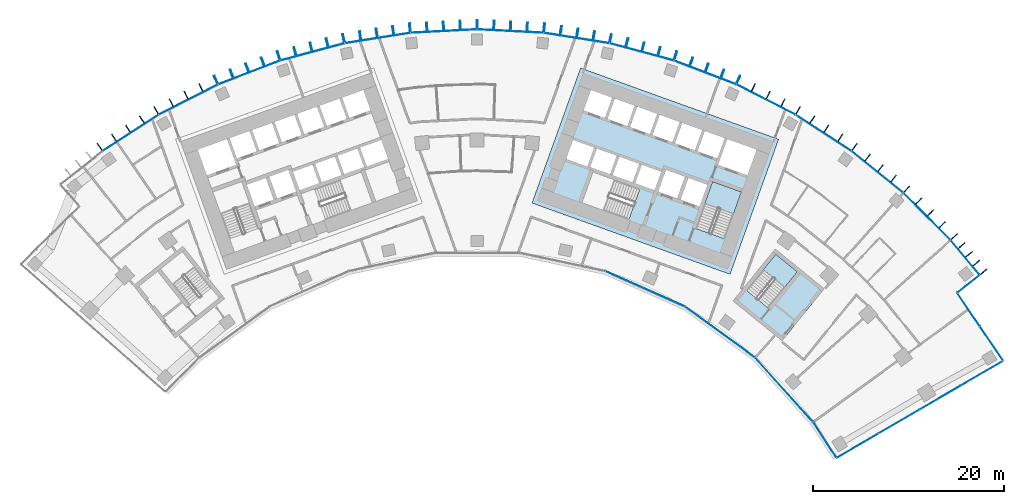
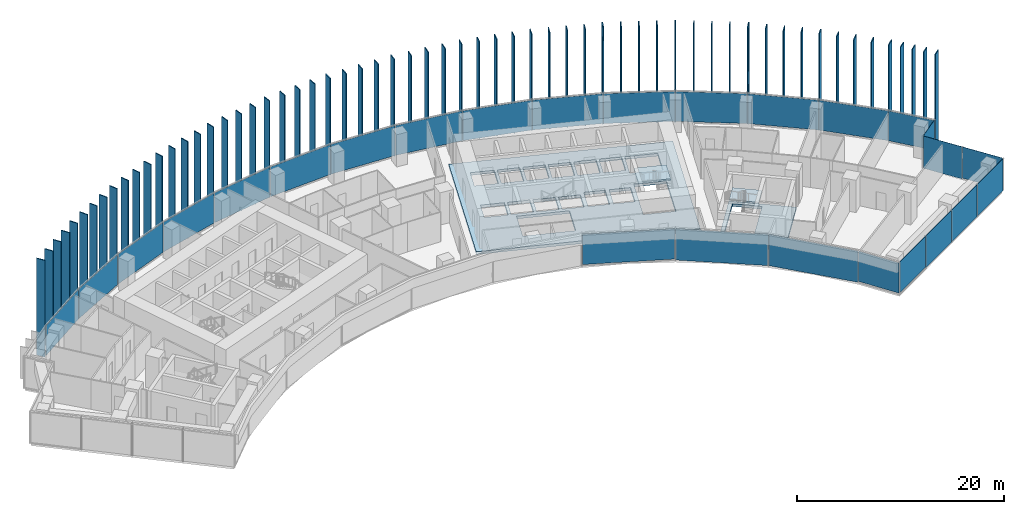
# One storey, part 14 of 22: 87 plates, 4 slabs, 7 elements without a shape of their own.
"""IFC4 building model written with IfcOpenShell, lengths in metres."""

from ifc_helpers import new_model, si_unit, direction, frame, origin, origin_2d, place, context, subcontext, project, spatial, polyline, rectangle, outline, extrude, material, layer, layer_set, type_object, element, aggregate, save


model = new_model("IFC4")

# Units and contexts
model_context = context("Model", 3, precision=1e-05, world=origin(), true_north=direction((0.0, 1.0)))
body_context = subcontext(model_context, "Body", "Model", "MODEL_VIEW")
ifc_project = project(units=[si_unit("LENGTHUNIT", "METRE"), si_unit("AREAUNIT", "SQUARE_METRE"), si_unit("VOLUMEUNIT", "CUBIC_METRE"), si_unit("PLANEANGLEUNIT", "RADIAN"), si_unit("MASSUNIT", "GRAM", prefix="KILO")], contexts=[model_context])

# Site, building, storey
site_placement = place(None, origin())
site = spatial("IfcSite", under=ifc_project, at=site_placement, CompositionType="ELEMENT")
building_placement = place(site_placement, origin())
building = spatial("IfcBuilding", under=site, at=building_placement, Name="Stone Belt Terrace Tower", CompositionType="ELEMENT")
storey_placement = place(building_placement, frame((0.0, 0.0, 121.199951171875)))
storey = spatial("IfcBuildingStorey", under=building, at=storey_placement, Name="L29", CompositionType="ELEMENT", Elevation=121.199951171875)

# Curtain wall, plates
ifc_material_1 = material(Name="Aluminium 6063-T6 anodised frame", Category="aluminium")
ifc_layer_1 = layer(ifc_material_1, 0.14990234375)
ifc_layer_set_1 = layer_set([ifc_layer_1], Name="CW-A unitised convex-face curtain wall")
curtain_wall_type_1 = type_object("IfcCurtainWallType", Name="CW-A unitised convex-face curtain wall", PredefinedType="NOTDEFINED", material=ifc_layer_set_1)
curtain_wall_1_placement = place(storey_placement, origin())
curtain_wall_1 = element("IfcCurtainWall", 1, at=curtain_wall_1_placement, inside=storey, type_object=curtain_wall_type_1, Name="CW-A convex face L29", PredefinedType="NOTDEFINED")
ifc_material_2 = material(Name="Clear double glazed unit")
ifc_layer_2 = layer(ifc_material_2, 0.031982421875)
ifc_layer_set_2 = layer_set([ifc_layer_2], Name="CW-A glass panel 32")
plate_type_1 = type_object("IfcPlateType", Name="CW-A glass panel 32", PredefinedType="CURTAIN_PANEL", material=ifc_layer_set_2)
plate_1_placement = place(storey_placement, frame((50.993896484375, 42.73583984375, 0.14013671875), z_axis=(0.0, 0.0, 1.0), x_axis=(-0.642509184121, 0.766277983711, 0.0)))
plate_1 = element("IfcPlate", 2, at=plate_1_placement, type_object=plate_type_1, Name="CW-A panel 1.1", PredefinedType="CURTAIN_PANEL", context=body_context, shape_type="SweptSolid", body=[
    extrude(rectangle(XDim=4.662841796875, YDim=0.031982421875, at=origin_2d()), origin(), (0.0, 0.0, 1.0), 3.52001953125),
])
plate_2_placement = place(storey_placement, frame((47.01123046875, 47.01123046875, 0.14013671875), z_axis=(0.0, 0.0, 1.0), x_axis=(-0.707106781187, 0.707106781187, 0.0)))
plate_2 = element("IfcPlate", 3, at=plate_2_placement, type_object=plate_type_1, Name="CW-A panel 2.1", PredefinedType="CURTAIN_PANEL", context=body_context, shape_type="SweptSolid", body=[
    extrude(rectangle(XDim=6.90087890625, YDim=0.031982421875, at=origin_2d()), origin(), (0.0, 0.0, 1.0), 3.52001953125),
])
plate_3_placement = place(storey_placement, frame((41.839599609375, 51.667724609375, 0.14013671875), z_axis=(0.0, 0.0, 1.0), x_axis=(-0.777145961457, 0.62932039105, 0.0)))
plate_3 = element("IfcPlate", 4, at=plate_3_placement, type_object=plate_type_1, Name="CW-A panel 3.1", PredefinedType="CURTAIN_PANEL", context=body_context, shape_type="SweptSolid", body=[
    extrude(rectangle(XDim=6.90087890625, YDim=0.031982421875, at=origin_2d()), origin(), (0.0, 0.0, 1.0), 3.52001953125),
])
plate_4_placement = place(storey_placement, frame((36.209716796875, 55.758056640625, 0.14013671875), z_axis=(0.0, 0.0, 1.0), x_axis=(-0.838670567945, 0.544639035015, 0.0)))
plate_4 = element("IfcPlate", 5, at=plate_4_placement, type_object=plate_type_1, Name="CW-A panel 4.1", PredefinedType="CURTAIN_PANEL", context=body_context, shape_type="SweptSolid", body=[
    extrude(rectangle(XDim=6.90087890625, YDim=0.031982421875, at=origin_2d()), origin(), (0.0, 0.0, 1.0), 3.52001953125),
])
plate_5_placement = place(storey_placement, frame((30.18310546875, 59.237548828125, 0.14013671875), z_axis=(0.0, 0.0, 1.0), x_axis=(-0.891006524188, 0.45399049974, 0.0)))
plate_5 = element("IfcPlate", 6, at=plate_5_placement, type_object=plate_type_1, Name="CW-A panel 5.1", PredefinedType="CURTAIN_PANEL", context=body_context, shape_type="SweptSolid", body=[
    extrude(rectangle(XDim=6.90087890625, YDim=0.031982421875, at=origin_2d()), origin(), (0.0, 0.0, 1.0), 3.52001953125),
])
plate_6_placement = place(storey_placement, frame((23.82568359375, 62.068115234375, 0.14013671875), z_axis=(0.0, 0.0, 1.0), x_axis=(-0.933580426497, 0.358367949545, 0.0)))
plate_6 = element("IfcPlate", 7, at=plate_6_placement, type_object=plate_type_1, Name="CW-A panel 6.1", PredefinedType="CURTAIN_PANEL", context=body_context, shape_type="SweptSolid", body=[
    extrude(rectangle(XDim=6.90087890625, YDim=0.031982421875, at=origin_2d()), origin(), (0.0, 0.0, 1.0), 3.52001953125),
])
plate_7_placement = place(storey_placement, frame((17.207275390625, 64.218505859375, 0.14013671875), z_axis=(0.0, 0.0, 1.0), x_axis=(-0.965925826289, 0.258819045103, 0.0)))
plate_7 = element("IfcPlate", 8, at=plate_7_placement, type_object=plate_type_1, Name="CW-A panel 7.1", PredefinedType="CURTAIN_PANEL", context=body_context, shape_type="SweptSolid", body=[
    extrude(rectangle(XDim=6.90087890625, YDim=0.031982421875, at=origin_2d()), origin(), (0.0, 0.0, 1.0), 3.52001953125),
])
plate_8_placement = place(storey_placement, frame((10.400390625, 65.665283203125, 0.14013671875), z_axis=(0.0, 0.0, 1.0), x_axis=(-0.987688340595, 0.15643446504, 0.0)))
plate_8 = element("IfcPlate", 9, at=plate_8_placement, type_object=plate_type_1, Name="CW-A panel 8.1", PredefinedType="CURTAIN_PANEL", context=body_context, shape_type="SweptSolid", body=[
    extrude(rectangle(XDim=6.90087890625, YDim=0.031982421875, at=origin_2d()), origin(), (0.0, 0.0, 1.0), 3.52001953125),
])
plate_9_placement = place(storey_placement, frame((3.4794921875, 66.392822265625, 0.14013671875), z_axis=(0.0, 0.0, 1.0), x_axis=(-0.998629534755, 0.052335956243, 0.0)))
plate_9 = element("IfcPlate", 10, at=plate_9_placement, type_object=plate_type_1, Name="CW-A panel 9.1", PredefinedType="CURTAIN_PANEL", context=body_context, shape_type="SweptSolid", body=[
    extrude(rectangle(XDim=6.90087890625, YDim=0.031982421875, at=origin_2d()), origin(), (0.0, 0.0, 1.0), 3.52001953125),
])
plate_10_placement = place(storey_placement, frame((-3.4794921875, 66.392822265625, 0.14013671875), z_axis=(0.0, 0.0, 1.0), x_axis=(-0.998629534755, -0.052335956243, 0.0)))
plate_10 = element("IfcPlate", 11, at=plate_10_placement, type_object=plate_type_1, Name="CW-A panel 10.1", PredefinedType="CURTAIN_PANEL", context=body_context, shape_type="SweptSolid", body=[
    extrude(rectangle(XDim=6.90087890625, YDim=0.031982421875, at=origin_2d()), origin(), (0.0, 0.0, 1.0), 3.52001953125),
])
plate_11_placement = place(storey_placement, frame((-10.400390625, 65.665283203125, 0.14013671875), z_axis=(0.0, 0.0, 1.0), x_axis=(-0.987688340595, -0.15643446504, 0.0)))
plate_11 = element("IfcPlate", 12, at=plate_11_placement, type_object=plate_type_1, Name="CW-A panel 11.1", PredefinedType="CURTAIN_PANEL", context=body_context, shape_type="SweptSolid", body=[
    extrude(rectangle(XDim=6.90087890625, YDim=0.031982421875, at=origin_2d()), origin(), (0.0, 0.0, 1.0), 3.52001953125),
])
plate_12_placement = place(storey_placement, frame((-17.207275390625, 64.218505859375, 0.14013671875), z_axis=(0.0, 0.0, 1.0), x_axis=(-0.965925826289, -0.258819045103, 0.0)))
plate_12 = element("IfcPlate", 13, at=plate_12_placement, type_object=plate_type_1, Name="CW-A panel 12.1", PredefinedType="CURTAIN_PANEL", context=body_context, shape_type="SweptSolid", body=[
    extrude(rectangle(XDim=6.90087890625, YDim=0.031982421875, at=origin_2d()), origin(), (0.0, 0.0, 1.0), 3.52001953125),
])
plate_13_placement = place(storey_placement, frame((-23.82568359375, 62.068115234375, 0.14013671875), z_axis=(0.0, 0.0, 1.0), x_axis=(-0.933580426497, -0.358367949545, 0.0)))
plate_13 = element("IfcPlate", 14, at=plate_13_placement, type_object=plate_type_1, Name="CW-A panel 13.1", PredefinedType="CURTAIN_PANEL", context=body_context, shape_type="SweptSolid", body=[
    extrude(rectangle(XDim=6.90087890625, YDim=0.031982421875, at=origin_2d()), origin(), (0.0, 0.0, 1.0), 3.52001953125),
])
plate_14_placement = place(storey_placement, frame((-30.18310546875, 59.237548828125, 0.14013671875), z_axis=(0.0, 0.0, 1.0), x_axis=(-0.891006524188, -0.45399049974, 0.0)))
plate_14 = element("IfcPlate", 15, at=plate_14_placement, type_object=plate_type_1, Name="CW-A panel 14.1", PredefinedType="CURTAIN_PANEL", context=body_context, shape_type="SweptSolid", body=[
    extrude(rectangle(XDim=6.90087890625, YDim=0.031982421875, at=origin_2d()), origin(), (0.0, 0.0, 1.0), 3.52001953125),
])
plate_15_placement = place(storey_placement, frame((-36.209716796875, 55.758056640625, 0.14013671875), z_axis=(0.0, 0.0, 1.0), x_axis=(-0.838670567945, -0.544639035015, 0.0)))
plate_15 = element("IfcPlate", 16, at=plate_15_placement, type_object=plate_type_1, Name="CW-A panel 15.1", PredefinedType="CURTAIN_PANEL", context=body_context, shape_type="SweptSolid", body=[
    extrude(rectangle(XDim=6.90087890625, YDim=0.031982421875, at=origin_2d()), origin(), (0.0, 0.0, 1.0), 3.52001953125),
])
aggregate(curtain_wall_1, [plate_1, plate_2, plate_3, plate_4, plate_5, plate_6, plate_7, plate_8, plate_9, plate_10, plate_11, plate_12, plate_13, plate_14, plate_15])

ifc_layer_3 = layer(ifc_material_1, 0.14990234375)
ifc_layer_set_3 = layer_set([ifc_layer_3], Name="CW-B unitised concave-face curtain wall")
curtain_wall_type_2 = type_object("IfcCurtainWallType", Name="CW-B unitised concave-face curtain wall", PredefinedType="NOTDEFINED", material=ifc_layer_set_3)
curtain_wall_2_placement = place(storey_placement, origin())
curtain_wall_2 = element("IfcCurtainWall", 17, at=curtain_wall_2_placement, inside=storey, type_object=curtain_wall_type_2, Name="CW-B concave face L29", PredefinedType="NOTDEFINED")
ifc_layer_4 = layer(ifc_material_2, 0.030029296875)
ifc_layer_set_4 = layer_set([ifc_layer_4], Name="CW-B glass panel 30")
plate_type_2 = type_object("IfcPlateType", Name="CW-B glass panel 30", PredefinedType="CURTAIN_PANEL", material=ifc_layer_set_4)
plate_16_placement = place(storey_placement, frame((17.565673828125, 39.453125, 0.1201171875), z_axis=(0.0, 0.0, 1.0), x_axis=(0.913545457643, -0.406736643076, 0.0)))
plate_16 = element("IfcPlate", 18, at=plate_16_placement, type_object=plate_type_2, Name="CW-B panel 7.1", PredefinedType="CURTAIN_PANEL", context=body_context, shape_type="SweptSolid", body=[
    extrude(rectangle(XDim=9.0126953125, YDim=0.030029296875, at=origin_2d()), origin(), (0.0, 0.0, 1.0), 3.56005859375),
])
plate_17_placement = place(storey_placement, frame((25.384521484375, 34.938720703125, 0.0), z_axis=(0.0, 0.0, 1.0), x_axis=(0.809016994375, -0.587785252292, 0.0)))
plate_17 = element("IfcPlate", 19, at=plate_17_placement, type_object=plate_type_2, Name="CW-B panel 8.1", PredefinedType="CURTAIN_PANEL", context=body_context, shape_type="SweptSolid", body=[
    extrude(rectangle(XDim=9.0126953125, YDim=0.030029296875, at=origin_2d()), origin(), (0.0, 0.0, 1.0), 3.679931640625),
])
plate_18_placement = place(storey_placement, frame((32.09521484375, 28.89599609375, 0.0), z_axis=(0.0, 0.0, 1.0), x_axis=(0.669130606359, -0.743144825477, 0.0)))
plate_18 = element("IfcPlate", 20, at=plate_18_placement, type_object=plate_type_2, Name="CW-B panel 9.1", PredefinedType="CURTAIN_PANEL", context=body_context, shape_type="SweptSolid", body=[
    extrude(rectangle(XDim=9.016845703125, YDim=0.030029296875, at=origin_2d()), origin(), (0.0, 0.0, 1.0), 3.679931640625),
])
plate_19_placement = place(storey_placement, frame((36.3408203125, 23.66943359375, 0.1201171875), z_axis=(0.0, 0.0, 1.0), x_axis=(0.546131502436, -0.837699458068, 0.0)))
plate_19 = element("IfcPlate", 21, at=plate_19_placement, type_object=plate_type_2, Name="CW-B panel 10.1", PredefinedType="CURTAIN_PANEL", context=body_context, shape_type="SweptSolid", body=[
    extrude(rectangle(XDim=4.363525390625, YDim=0.030029296875, at=origin_2d()), origin(), (0.0, 0.0, 1.0), 3.56005859375),
])
aggregate(curtain_wall_2, [plate_16, plate_17, plate_18, plate_19])

ifc_layer_5 = layer(ifc_material_1, 0.14990234375)
ifc_layer_set_5 = layer_set([ifc_layer_5], Name="CW-C stick curtain wall, horn ends and notches")
curtain_wall_type_3 = type_object("IfcCurtainWallType", Name="CW-C stick curtain wall, horn ends and notches", PredefinedType="NOTDEFINED", material=ifc_layer_set_5)
curtain_wall_3_placement = place(storey_placement, origin())
curtain_wall_3 = element("IfcCurtainWall", 22, at=curtain_wall_3_placement, inside=storey, type_object=curtain_wall_type_3, Name="CW-C end face L29", PredefinedType="NOTDEFINED")
ifc_layer_6 = layer(ifc_material_2, 0.028076171875)
ifc_layer_set_6 = layer_set([ifc_layer_6], Name="CW-C glass panel 28")
plate_type_3 = type_object("IfcPlateType", Name="CW-C glass panel 28", PredefinedType="CURTAIN_PANEL", material=ifc_layer_set_6)
plate_20_placement = place(storey_placement, frame((39.78076171875, 23.06982421875, 0.1201171875), z_axis=(0.0, 0.0, 1.0), x_axis=(0.864239322284, 0.503080901861, 0.0)))
plate_20 = element("IfcPlate", 23, at=plate_20_placement, type_object=plate_type_3, Name="CW-C panel 1.1", PredefinedType="CURTAIN_PANEL", context=body_context, shape_type="SweptSolid", body=[
    extrude(rectangle(XDim=4.9677734375, YDim=0.028076171875, at=origin_2d()), origin(), (0.0, 0.0, 1.0), 3.679931640625),
])
plate_21_placement = place(storey_placement, frame((44.114013671875, 25.59228515625, 0.0), z_axis=(0.0, 0.0, 1.0), x_axis=(0.864239322284, 0.503080901861, 0.0)))
plate_21 = element("IfcPlate", 24, at=plate_21_placement, type_object=plate_type_3, Name="CW-C panel 2.1", PredefinedType="CURTAIN_PANEL", context=body_context, shape_type="SweptSolid", body=[
    extrude(rectangle(XDim=4.93994140625, YDim=0.028076171875, at=origin_2d()), origin(), (0.0, 0.0, 1.0), 3.800048828125),
])
plate_22_placement = place(storey_placement, frame((48.43505859375, 28.107666015625, 0.0), z_axis=(0.0, 0.0, 1.0), x_axis=(0.864239322284, 0.503080901861, 0.0)))
plate_22 = element("IfcPlate", 25, at=plate_22_placement, type_object=plate_type_3, Name="CW-C panel 3.1", PredefinedType="CURTAIN_PANEL", context=body_context, shape_type="SweptSolid", body=[
    extrude(rectangle(XDim=4.93994140625, YDim=0.028076171875, at=origin_2d()), origin(), (0.0, 0.0, 1.0), 3.800048828125),
])
plate_23_placement = place(storey_placement, frame((52.771484375, 30.6318359375, 0.0), z_axis=(0.0, 0.0, 1.0), x_axis=(0.864239322284, 0.503080901861, 0.0)))
plate_23 = element("IfcPlate", 26, at=plate_23_placement, type_object=plate_type_3, Name="CW-C panel 4.1", PredefinedType="CURTAIN_PANEL", context=body_context, shape_type="SweptSolid", body=[
    extrude(rectangle(XDim=4.974853515625, YDim=0.028076171875, at=origin_2d()), origin(), (0.0, 0.0, 1.0), 3.800048828125),
])
aggregate(curtain_wall_3, [plate_20, plate_21, plate_22, plate_23])

curtain_wall_4_placement = place(storey_placement, origin())
curtain_wall_4 = element("IfcCurtainWall", 27, at=curtain_wall_4_placement, inside=storey, type_object=curtain_wall_type_3, Name="CW-C notch face L29", PredefinedType="NOTDEFINED")
plate_24_placement = place(storey_placement, frame((53.748046875, 33.751220703125, 0.1201171875), z_axis=(0.0, 0.0, 1.0), x_axis=(-0.560367245622, 0.828244257471, 0.0)))
plate_24 = element("IfcPlate", 28, at=plate_24_placement, type_object=plate_type_3, Name="CW-C panel 1.1", PredefinedType="CURTAIN_PANEL", context=body_context, shape_type="SweptSolid", body=[
    extrude(rectangle(XDim=4.268798828125, YDim=0.028076171875, at=origin_2d()), origin(), (0.0, 0.0, 1.0), 3.679931640625),
])
plate_25_placement = place(storey_placement, frame((51.364013671875, 37.275146484375, 0.0), z_axis=(0.0, 0.0, 1.0), x_axis=(-0.560367245622, 0.828244257471, 0.0)))
plate_25 = element("IfcPlate", 29, at=plate_25_placement, type_object=plate_type_3, Name="CW-C panel 2.1", PredefinedType="CURTAIN_PANEL", context=body_context, shape_type="SweptSolid", body=[
    extrude(rectangle(XDim=4.12060546875, YDim=0.028076171875, at=origin_2d()), origin(), (0.0, 0.0, 1.0), 3.800048828125),
])
aggregate(curtain_wall_4, [plate_24, plate_25])

# Curtain wall, plate
curtain_wall_5_placement = place(storey_placement, origin())
curtain_wall_5 = element("IfcCurtainWall", 30, at=curtain_wall_5_placement, inside=storey, type_object=curtain_wall_type_3, Name="CW-C notch face L29", PredefinedType="NOTDEFINED")
plate_26_placement = place(storey_placement, frame((51.353515625, 39.966552734375, 0.1201171875), z_axis=(0.0, 0.0, 1.0), x_axis=(0.788458012337, 0.615088581248, 0.0)))
plate_26 = element("IfcPlate", 31, at=plate_26_placement, type_object=plate_type_3, Name="CW-C panel 1.1", PredefinedType="CURTAIN_PANEL", context=body_context, shape_type="SweptSolid", body=[
    extrude(rectangle(XDim=2.859619140625, YDim=0.028076171875, at=origin_2d()), origin(), (0.0, 0.0, 1.0), 3.679931640625),
])
aggregate(curtain_wall_5, [plate_26])

# Slabs
ifc_material_3 = material(Name="Concrete B40", Category="concrete")
ifc_layer_7 = layer(ifc_material_3, 0.320068359375)
ifc_layer_set_7 = layer_set([ifc_layer_7], Name="Core floor slab 320")
slab_type_1 = type_object("IfcSlabType", Name="Core floor slab 320", PredefinedType="FLOOR", material=ifc_layer_set_7)
slab_1_placement = place(storey_placement, frame((0.0, 0.0, -0.320068359375)))
element("IfcSlab", 32, at=slab_1_placement, inside=storey, type_object=slab_type_1, Name="Core B floor L29", PredefinedType="FLOOR", context=body_context, shape_type="SweptSolid", body=[
    extrude(outline(polyline([(26.43505859375, 40.968994140625), (31.513916015625, 55.0830078125), (10.81396484375, 62.531982421875), (5.735107421875, 48.4189453125), (26.43505859375, 40.968994140625)]), holes=[polyline([(12.10595703125, 51.652099609375), (16.998046875, 49.89208984375), (15.846923828125, 46.69189453125), (10.955078125, 48.452880859375), (12.10595703125, 51.652099609375)]), polyline([(19.239990234375, 51.68896484375), (18.5458984375, 49.760009765625), (16.52294921875, 50.488037109375), (17.217041015625, 52.4169921875), (19.239990234375, 51.68896484375)]), polyline([(16.239990234375, 50.589111328125), (14.169921875, 51.333984375), (14.864013671875, 53.262939453125), (16.93408203125, 52.51806640625), (16.239990234375, 50.589111328125)]), polyline([(14.58203125, 53.364990234375), (13.887939453125, 51.43603515625), (11.864990234375, 52.1640625), (11.847900390625, 52.116943359375), (11.801025390625, 52.134033203125), (12.511962890625, 54.110107421875), (14.58203125, 53.364990234375)]), polyline([(9.30810546875, 53.031005859375), (10.01904296875, 55.007080078125), (12.22998046875, 54.2109375), (11.51904296875, 52.235107421875), (9.30810546875, 53.031005859375)]), polyline([(16.743896484375, 58.485107421875), (18.81396484375, 57.739990234375), (18.052001953125, 55.623046875), (15.98193359375, 56.367919921875), (16.743896484375, 58.485107421875)]), polyline([(14.39111328125, 59.33203125), (16.4609375, 58.5869140625), (15.699951171875, 56.469970703125), (13.6298828125, 57.215087890625), (14.39111328125, 59.33203125)]), polyline([(11.89794921875, 60.22900390625), (14.10888671875, 59.43408203125), (13.346923828125, 57.31591796875), (11.135986328125, 58.112060546875), (11.89794921875, 60.22900390625)]), polyline([(25.85888671875, 44.68408203125), (22.847900390625, 45.76806640625), (24.60791015625, 50.659912109375), (27.618896484375, 49.575927734375), (25.85888671875, 44.68408203125)]), polyline([(21.27392578125, 48.778076171875), (22.0869140625, 51.035888671875), (24.06298828125, 50.324951171875), (23.25, 48.06689453125), (21.27392578125, 48.778076171875)]), polyline([(18.922119140625, 49.6240234375), (19.735107421875, 51.883056640625), (21.7109375, 51.1708984375), (20.89794921875, 48.9130859375), (18.922119140625, 49.6240234375)]), polyline([(29.2109375, 53.9990234375), (28.24609375, 51.31689453125), (25.18798828125, 52.41796875), (26.153076171875, 55.09912109375), (29.2109375, 53.9990234375)]), polyline([(23.801025390625, 55.946044921875), (25.87109375, 55.200927734375), (25.10888671875, 53.083984375), (23.0390625, 53.8291015625), (23.801025390625, 55.946044921875)]), polyline([(21.447998046875, 56.7919921875), (23.51806640625, 56.047119140625), (22.756103515625, 53.929931640625), (20.68603515625, 54.675048828125), (21.447998046875, 56.7919921875)]), polyline([(19.095947265625, 57.638916015625), (21.166015625, 56.89404296875), (20.404052734375, 54.777099609375), (18.333984375, 55.52197265625), (19.095947265625, 57.638916015625)])]), origin(), (0.0, 0.0, 1.0), 0.320068359375),
])
slab_2_placement = place(storey_placement, frame((0.0, 0.0, -0.320068359375)))
element("IfcSlab", 33, at=slab_2_placement, inside=storey, type_object=slab_type_1, Name="Exit stair ST3B floor L29", PredefinedType="FLOOR", context=body_context, shape_type="SweptSolid", body=[
    extrude(outline(polyline([(26.741943359375, 38.18408203125), (31.866943359375, 34.02392578125), (36.278076171875, 39.458984375), (31.154052734375, 43.618896484375), (26.741943359375, 38.18408203125)]), holes=[polyline([(30.407958984375, 37.462890625), (28.156005859375, 39.291015625), (31.2119140625, 43.055908203125), (33.464111328125, 41.22802734375), (30.407958984375, 37.462890625)])]), origin(), (0.0, 0.0, 1.0), 0.320068359375),
])

# Stair, slab
stair_type = type_object("IfcStairType", Name="Exit stair 1500", PredefinedType="HALF_TURN_STAIR", material=ifc_material_3)
stair_1_placement = place(storey_placement, origin())
stair_1 = element("IfcStair", 34, at=stair_1_placement, inside=storey, type_object=stair_type, Name="L29 Exit stair 1 core B", PredefinedType="HALF_TURN_STAIR")
ifc_layer_8 = layer(ifc_material_3, 0.199951171875)
ifc_layer_set_8 = layer_set([ifc_layer_8], Name="Stair landing 200")
slab_type_2 = type_object("IfcSlabType", Name="Stair landing 200", PredefinedType="LANDING", material=ifc_layer_set_8)
slab_3_placement = place(storey_placement, frame((0.0, 0.0, 1.699951171875)))
slab_3 = element("IfcSlab", 35, at=slab_3_placement, type_object=slab_type_2, Name="ST1B landing 1", PredefinedType="LANDING", context=body_context, shape_type="SweptSolid", body=[
    extrude(outline(polyline([(26.806396484375, 47.3173828125), (27.619384765625, 49.576171875), (24.6083984375, 50.659912109375), (23.79541015625, 48.40087890625), (26.806396484375, 47.3173828125)])), origin(), (0.0, 0.0, 1.0), 0.2001953125),
])
aggregate(stair_1, [slab_3])

stair_2_placement = place(storey_placement, origin())
stair_2 = element("IfcStair", 36, at=stair_2_placement, inside=storey, type_object=stair_type, Name="L29 Exit stair 3B", PredefinedType="HALF_TURN_STAIR")
slab_4_placement = place(storey_placement, frame((0.0, 0.0, 1.699951171875)))
slab_4 = element("IfcSlab", 37, at=slab_4_placement, type_object=slab_type_2, Name="ST3B landing 1", PredefinedType="LANDING", context=body_context, shape_type="SweptSolid", body=[
    extrude(outline(polyline([(32.17138671875, 39.635986328125), (33.4638671875, 41.228271484375), (31.21240234375, 43.055908203125), (29.919921875, 41.463623046875), (32.17138671875, 39.635986328125)])), origin(), (0.0, 0.0, 1.0), 0.2001953125),
])
aggregate(stair_2, [slab_4])

# Plates
ifc_material_4 = material(Name="Terracotta coloured glazed ceramic", Category="masonry")
ifc_layer_9 = layer(ifc_material_4, 0.10009765625)
ifc_layer_set_9 = layer_set([ifc_layer_9], Name="Terracotta fin 100 x 900")
plate_type_4 = type_object("IfcPlateType", Name="Terracotta fin 100 x 900", PredefinedType="SHEET", material=ifc_layer_set_9)
for number, where, z_axis, x_axis, name in (
    (38, (52.942138671875, 41.229248046875, 0.0), (0.0, 0.0, 1.0), (0.766277983711, 0.642509184121, 0.0), "FIN L29 1.1"),
    (39, (52.17578125, 42.143310546875, 0.0), (0.0, 0.0, 1.0), (0.766277983711, 0.642509184121, 0.0), "FIN L29 1.2"),
    (40, (51.409423828125, 43.057373046875, 0.0), (0.0, 0.0, 1.0), (0.766277983711, 0.642509184121, 0.0), "FIN L29 1.3"),
    (41, (50.64306640625, 43.97119140625, 0.0), (0.0, 0.0, 1.0), (0.766277983711, 0.642509184121, 0.0), "FIN L29 1.4"),
    (42, (49.861572265625, 44.902587890625, 0.0), (0.0, 0.0, 1.0), (0.737400080522, 0.675456231925, 0.0), "FIN L29 2.1"),
    (43, (48.614013671875, 46.15087890625, 0.0), (0.0, 0.0, 1.0), (0.707106781187, 0.707106781187, 0.0), "FIN L29 2.2"),
    (44, (47.382080078125, 47.382568359375, 0.0), (0.0, 0.0, 1.0), (0.707106781187, 0.707106781187, 0.0), "FIN L29 2.3"),
    (45, (46.150390625, 48.614501953125, 0.0), (0.0, 0.0, 1.0), (0.707106781187, 0.707106781187, 0.0), "FIN L29 2.4"),
    (46, (44.898681640625, 49.864990234375, 0.0), (0.0, 0.0, 1.0), (0.669130606359, 0.743144825477, 0.0), "FIN L29 3.1"),
    (47, (43.52392578125, 50.979248046875, 0.0), (0.0, 0.0, 1.0), (0.62932039105, 0.777145961457, 0.0), "FIN L29 3.2"),
    (48, (42.170166015625, 52.07568359375, 0.0), (0.0, 0.0, 1.0), (0.62932039105, 0.777145961457, 0.0), "FIN L29 3.3"),
    (49, (40.816162109375, 53.172119140625, 0.0), (0.0, 0.0, 1.0), (0.62932039105, 0.777145961457, 0.0), "FIN L29 3.4"),
    (50, (39.4404296875, 54.28515625, 0.0), (0.0, 0.0, 1.0), (0.587785252292, 0.809016994375, 0.0), "FIN L29 4.1"),
    (51, (37.956787109375, 55.24951171875, 0.0), (0.0, 0.0, 1.0), (0.544639035015, 0.838670567945, 0.0), "FIN L29 4.2"),
    (52, (36.49560546875, 56.1982421875, 0.0), (0.0, 0.0, 1.0), (0.544639035015, 0.838670567945, 0.0), "FIN L29 4.3"),
    (53, (35.03466796875, 57.147216796875, 0.0), (0.0, 0.0, 1.0), (0.544639035015, 0.838670567945, 0.0), "FIN L29 4.4"),
    (54, (33.550048828125, 58.1103515625, 0.0), (0.0, 0.0, 1.0), (0.5, 0.866025403784, 0.0), "FIN L29 5.1"),
    (55, (31.9736328125, 58.914306640625, 0.0), (0.0, 0.0, 1.0), (0.45399049974, 0.891006524188, 0.0), "FIN L29 5.2"),
    (56, (30.42138671875, 59.705322265625, 0.0), (0.0, 0.0, 1.0), (0.45399049974, 0.891006524188, 0.0), "FIN L29 5.3"),
    (57, (28.869140625, 60.496337890625, 0.0), (0.0, 0.0, 1.0), (0.45399049974, 0.891006524188, 0.0), "FIN L29 5.4"),
    (58, (27.2919921875, 61.299072265625, 0.0), (0.0, 0.0, 1.0), (0.406736643076, 0.913545457643, 0.0), "FIN L29 6.1"),
    (59, (25.64013671875, 61.933837890625, 0.0), (0.0, 0.0, 1.0), (0.358367949545, 0.933580426497, 0.0), "FIN L29 6.2"),
    (60, (24.013916015625, 62.55810546875, 0.0), (0.0, 0.0, 1.0), (0.358367949545, 0.933580426497, 0.0), "FIN L29 6.3"),
    (61, (22.387451171875, 63.182373046875, 0.0), (0.0, 0.0, 1.0), (0.358367949545, 0.933580426497, 0.0), "FIN L29 6.4"),
    (62, (20.735107421875, 63.81591796875, 0.0), (0.0, 0.0, 1.0), (0.309016994375, 0.951056516295, 0.0), "FIN L29 7.1"),
    (63, (19.02587890625, 64.274658203125, 0.0), (0.0, 0.0, 1.0), (0.258819045103, 0.965925826289, 0.0), "FIN L29 7.2"),
    (64, (17.34326171875, 64.7255859375, 0.0), (0.0, 0.0, 1.0), (0.258819045103, 0.965925826289, 0.0), "FIN L29 7.3"),
    (65, (15.660400390625, 65.176513671875, 0.0), (0.0, 0.0, 1.0), (0.258819045103, 0.965925826289, 0.0), "FIN L29 7.4"),
    (66, (13.950927734375, 65.6337890625, 0.0), (0.0, 0.0, 1.0), (0.207911690818, 0.978147600734, 0.0), "FIN L29 8.1"),
    (67, (12.203125, 65.911376953125, 0.0), (0.0, 0.0, 1.0), (0.15643446504, 0.987688340595, 0.0), "FIN L29 8.2"),
    (68, (10.482421875, 66.183837890625, 0.0), (0.0, 0.0, 1.0), (0.15643446504, 0.987688340595, 0.0), "FIN L29 8.3"),
    (69, (8.76171875, 66.456298828125, 0.0), (0.0, 0.0, 1.0), (0.15643446504, 0.987688340595, 0.0), "FIN L29 8.4"),
    (70, (7.013916015625, 66.732421875, 0.0), (0.0, 0.0, 1.0), (0.104528463268, 0.994521895368, 0.0), "FIN L29 9.1"),
    (71, (5.246826171875, 66.825927734375, 0.0), (0.0, 0.0, 1.0), (0.052335956243, 0.998629534755, 0.0), "FIN L29 9.2"),
    (72, (3.507080078125, 66.9169921875, 0.0), (0.0, 0.0, 1.0), (0.052335956243, 0.998629534755, 0.0), "FIN L29 9.3"),
    (73, (1.767333984375, 67.00830078125, 0.0), (0.0, 0.0, 1.0), (0.052335956243, 0.998629534755, 0.0), "FIN L29 9.4"),
    (74, (0.0, 67.10009765625, 0.0), (0.0, 0.0, 1.0), (0.0, 1.0, 0.0), "FIN L29 10.1"),
    (75, (-1.767333984375, 67.00830078125, 0.0), (0.0, 0.0, 1.0), (-0.052335956243, 0.998629534755, 0.0), "FIN L29 10.2"),
    (76, (-3.507080078125, 66.9169921875, 0.0), (0.0, 0.0, 1.0), (-0.052335956243, 0.998629534755, 0.0), "FIN L29 10.3"),
    (77, (-5.246826171875, 66.825927734375, 0.0), (0.0, 0.0, 1.0), (-0.052335956243, 0.998629534755, 0.0), "FIN L29 10.4"),
    (78, (-7.013916015625, 66.732421875, 0.0), (0.0, 0.0, 1.0), (-0.104528463268, 0.994521895368, 0.0), "FIN L29 11.1"),
    (79, (-8.76171875, 66.456298828125, 0.0), (0.0, 0.0, 1.0), (-0.15643446504, 0.987688340595, 0.0), "FIN L29 11.2"),
    (80, (-10.482421875, 66.183837890625, 0.0), (0.0, 0.0, 1.0), (-0.15643446504, 0.987688340595, 0.0), "FIN L29 11.3"),
    (81, (-12.203125, 65.911376953125, 0.0), (0.0, 0.0, 1.0), (-0.15643446504, 0.987688340595, 0.0), "FIN L29 11.4"),
    (82, (-13.950927734375, 65.6337890625, 0.0), (0.0, 0.0, 1.0), (-0.207911690818, 0.978147600734, 0.0), "FIN L29 12.1"),
    (83, (-15.660400390625, 65.176513671875, 0.0), (0.0, 0.0, 1.0), (-0.258819045103, 0.965925826289, 0.0), "FIN L29 12.2"),
    (84, (-17.34326171875, 64.7255859375, 0.0), (0.0, 0.0, 1.0), (-0.258819045103, 0.965925826289, 0.0), "FIN L29 12.3"),
    (85, (-19.02587890625, 64.274658203125, 0.0), (0.0, 0.0, 1.0), (-0.258819045103, 0.965925826289, 0.0), "FIN L29 12.4"),
    (86, (-20.735107421875, 63.81591796875, 0.0), (0.0, 0.0, 1.0), (-0.309016994375, 0.951056516295, 0.0), "FIN L29 13.1"),
    (87, (-22.387451171875, 63.182373046875, 0.0), (0.0, 0.0, 1.0), (-0.358367949545, 0.933580426497, 0.0), "FIN L29 13.2"),
    (88, (-24.013916015625, 62.55810546875, 0.0), (0.0, 0.0, 1.0), (-0.358367949545, 0.933580426497, 0.0), "FIN L29 13.3"),
    (89, (-25.64013671875, 61.933837890625, 0.0), (0.0, 0.0, 1.0), (-0.358367949545, 0.933580426497, 0.0), "FIN L29 13.4"),
    (90, (-27.2919921875, 61.299072265625, 0.0), (0.0, 0.0, 1.0), (-0.406736643076, 0.913545457643, 0.0), "FIN L29 14.1"),
    (91, (-28.869140625, 60.496337890625, 0.0), (0.0, 0.0, 1.0), (-0.45399049974, 0.891006524188, 0.0), "FIN L29 14.2"),
    (92, (-30.42138671875, 59.705322265625, 0.0), (0.0, 0.0, 1.0), (-0.45399049974, 0.891006524188, 0.0), "FIN L29 14.3"),
    (93, (-31.9736328125, 58.914306640625, 0.0), (0.0, 0.0, 1.0), (-0.45399049974, 0.891006524188, 0.0), "FIN L29 14.4"),
    (94, (-33.550048828125, 58.1103515625, 0.0), (0.0, 0.0, 1.0), (-0.5, 0.866025403784, 0.0), "FIN L29 15.1"),
    (95, (-35.034423828125, 57.147216796875, 0.0), (0.0, 0.0, 1.0), (-0.544639035015, 0.838670567945, 0.0), "FIN L29 15.2"),
    (96, (-36.495361328125, 56.198486328125, 0.0), (0.0, 0.0, 1.0), (-0.544639035015, 0.838670567945, 0.0), "FIN L29 15.3"),
    (97, (-37.95654296875, 55.249755859375, 0.0), (0.0, 0.0, 1.0), (-0.544639035015, 0.838670567945, 0.0), "FIN L29 15.4"),
    (98, (-39.43798828125, 54.286865234375, 0.0), (0.0, 0.0, 1.0), (-0.583508737005, 0.812106861096, 0.0), "FIN L29 16.1"),
):
    element("IfcPlate", number, at=place(storey_placement, frame(where, z_axis=z_axis, x_axis=x_axis)), inside=storey, type_object=plate_type_4, Name=name, PredefinedType="SHEET", context=body_context, shape_type="SweptSolid", body=[
        extrude(rectangle(XDim=0.89990234375, YDim=0.10009765625, at=origin_2d()), origin(), (0.0, 0.0, 1.0), 11.39990234375),
    ])

save(model, "model.ifc")
